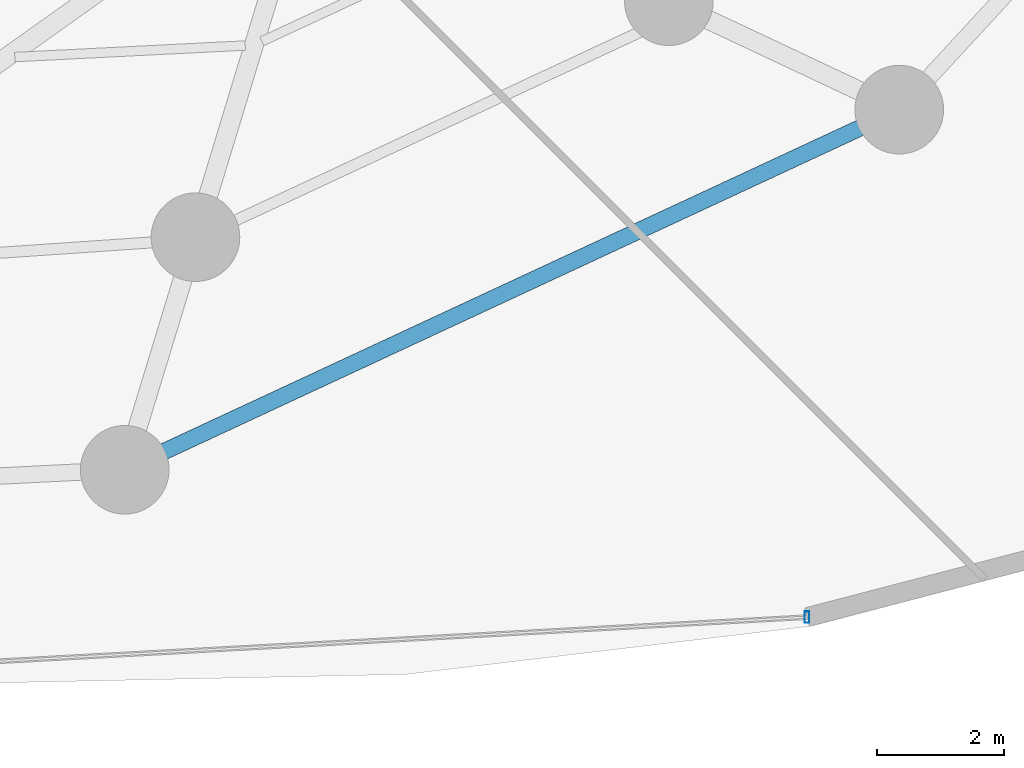
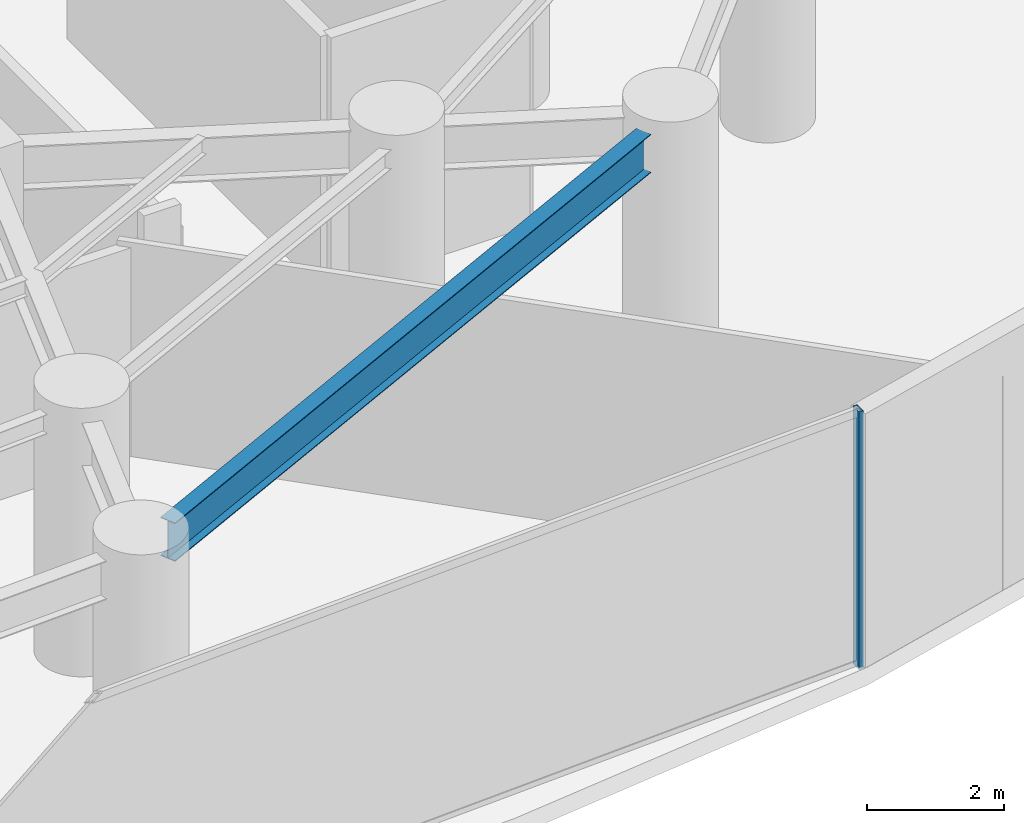
# One storey, part 11 of 32: 1 beam, 1 member, 1 element without a shape of its own.
"""IFC4 building model written with IfcOpenShell, lengths in metres."""

import ifcopenshell
import ifcopenshell.guid

model = None  # the IFC model being written
_history = None  # IfcOwnerHistory: only IFC2X3 demands one
_inside = {}  # id of a spatial element -> (the spatial element, [elements in it])
_under = {}  # id of a project, library or spatial element -> (it, [spatial elements below it])
_declared = {}  # id of a project -> (the project, [libraries it declares])
_typed = {}  # id of a type object -> (the type object, [elements of that type])
_made_of = {}  # id of a material, layer set ... -> (it, [elements and type objects made of it])


def new_model(schema):
    """Start an empty IFC model of exactly this schema.

    Asked for "IFC4X3", IfcOpenShell would pick the latest addendum, in which some entities
    have other attributes; the version numbers below select the first issue.
    IFC2X3 requires an IfcOwnerHistory on every rooted entity: one is made here for all.
    """
    global model, _history
    if schema == "IFC4X3":
        model = ifcopenshell.file(schema_version=(4, 3, 0, 0))
    else:
        model = ifcopenshell.file(schema=schema)
    _inside.clear()
    _under.clear()
    _declared.clear()
    _typed.clear()
    _made_of.clear()
    _history = None
    if model.schema == "IFC2X3":
        org = make("IfcOrganization", Name="unknown")
        user = make(
            "IfcPersonAndOrganization",
            ThePerson=make("IfcPerson", FamilyName="unknown"),
            TheOrganization=org,
        )
        app = make(
            "IfcApplication",
            ApplicationDeveloper=org,
            Version="unknown",
            ApplicationFullName="unknown",
            ApplicationIdentifier="unknown",
        )
        _history = make(
            "IfcOwnerHistory",
            OwningUser=user,
            OwningApplication=app,
            ChangeAction="ADDED",
            CreationDate=0,
        )
    return model


def make(cls, **values):
    """One entity of the class cls with the attributes given. An attribute that is None is left unset."""
    return model.create_entity(
        cls, **{name: value for name, value in values.items() if value is not None}
    )


def rooted(cls, **values):
    """An entity with a GlobalId (a new one), such as an element, a storey or a relation."""
    return make(cls, GlobalId=ifcopenshell.guid.new(), OwnerHistory=_history, **values)


def si_unit(unit_type, name, prefix=None):
    """IfcSIUnit, for example si_unit("LENGTHUNIT", "METRE", prefix="MILLI")."""
    return make("IfcSIUnit", UnitType=unit_type, Prefix=prefix, Name=name)


def assignment(units):
    """IfcUnitAssignment: the units of a project."""
    return None if units is None else make("IfcUnitAssignment", Units=units)


def point(xyz):
    """IfcCartesianPoint."""
    return None if xyz is None else make("IfcCartesianPoint", Coordinates=xyz)


def direction(xyz):
    """IfcDirection."""
    return None if xyz is None else make("IfcDirection", DirectionRatios=xyz)


def frame(location, z_axis=None, x_axis=None):
    """IfcAxis2Placement3D, a coordinate frame: its origin and axes. An axis left out is left unset."""
    return make(
        "IfcAxis2Placement3D",
        Location=point(location),
        Axis=direction(z_axis),
        RefDirection=direction(x_axis),
    )


def frame_2d(location, x_axis=None):
    """IfcAxis2Placement2D, a coordinate frame in the plane: its origin and x axis."""
    return make(
        "IfcAxis2Placement2D", Location=point(location), RefDirection=direction(x_axis)
    )


def origin():
    """The frame at (0, 0, 0) with its axes left unset."""
    return frame((0.0, 0.0, 0.0))


def origin_2d():
    """The frame at (0, 0) in the plane with its x axis left unset."""
    return frame_2d((0.0, 0.0))


def place(relative_to, where):
    """IfcLocalPlacement: puts the frame where relative to a parent placement (None: the world)."""
    return make(
        "IfcLocalPlacement", PlacementRelTo=relative_to, RelativePlacement=where
    )


def context(
    kind, dimensions, precision=None, world=None, true_north=None, identifier=None
):
    """IfcGeometricRepresentationContext, for example the 3D "Model" context."""
    return make(
        "IfcGeometricRepresentationContext",
        ContextIdentifier=identifier,
        ContextType=kind,
        CoordinateSpaceDimension=dimensions,
        Precision=precision,
        WorldCoordinateSystem=world,
        TrueNorth=true_north,
    )


def subcontext(parent, identifier, kind, view, scale=None):
    """IfcGeometricRepresentationSubContext, for example "Body" below "Model"."""
    return make(
        "IfcGeometricRepresentationSubContext",
        ContextIdentifier=identifier,
        ContextType=kind,
        ParentContext=parent,
        TargetScale=scale,
        TargetView=view,
    )


def project(units=None, contexts=None):
    """IfcProject with its units and contexts."""
    return rooted(
        "IfcProject",
        Name="project",
        RepresentationContexts=contexts,
        UnitsInContext=assignment(units),
    )


def spatial(cls, under=None, at=None, **own):
    """A site, building, storey or space (cls), placed at a placement, below another one or the project."""
    s = rooted(cls, ObjectPlacement=at, **own)
    if under is not None:
        _under.setdefault(under.id(), (under, []))[1].append(s)
    return s


def profile(cls, at=None, kind="AREA", **sizes):
    """A parametric profile (cls). Its sizes go by their IFC names, for example OverallWidth=200.0."""
    return make(cls, ProfileType=kind, Position=at, **sizes)


def hollow_rectangle(**sizes):
    """IfcRectangleHollowProfileDef."""
    return profile("IfcRectangleHollowProfileDef", **sizes)


def i_section(**sizes):
    """IfcIShapeProfileDef."""
    return profile("IfcIShapeProfileDef", **sizes)


def extrude(swept, where, along, depth):
    """IfcExtrudedAreaSolid: the profile swept, set in the frame where, extruded along a direction by depth."""
    return make(
        "IfcExtrudedAreaSolid",
        SweptArea=swept,
        Position=where,
        ExtrudedDirection=direction(along),
        Depth=depth,
    )


def shape(context_of_items, identifier, shape_type, items):
    """IfcShapeRepresentation: the items that make up one representation, for example the "Body"."""
    return make(
        "IfcShapeRepresentation",
        ContextOfItems=context_of_items,
        RepresentationIdentifier=identifier,
        RepresentationType=shape_type,
        Items=items,
    )


def material(Name=None, Category=None):
    """IfcMaterial."""
    return make("IfcMaterial", Name=Name, Category=Category)


def material_profile(
    of_material, cross_section, Name=None, Category=None, Priority=None
):
    """IfcMaterialProfile: a cross section and its material."""
    return make(
        "IfcMaterialProfile",
        Name=Name,
        Material=of_material,
        Profile=cross_section,
        Priority=Priority,
        Category=Category,
    )


def profile_set(profiles, Name=None, composite=None):
    """IfcMaterialProfileSet."""
    return make(
        "IfcMaterialProfileSet",
        Name=Name,
        MaterialProfiles=profiles,
        CompositeProfile=composite,
    )


def made_of(thing, what):
    """Note that an element or type object is made of a material, layer set ...; save() writes the relation."""
    if what is not None:
        _made_of.setdefault(what.id(), (what, []))[1].append(thing)
    return thing


def type_object(cls, material=None, **own):
    """A type object (cls), such as IfcWallType, which elements share."""
    return made_of(rooted(cls, **own), material)


def element(
    cls,
    number,
    at=None,
    inside=None,
    cuts=None,
    type_object=None,
    material=None,
    context=None,
    identifier="Body",
    shape_type=None,
    held_by="IfcProductDefinitionShape",
    body=None,
    shapes=None,
    **own,
):
    """One element of the class cls, such as IfcWall. Its Tag is "e" and its number.

    at: its placement. inside: the storey or other place that contains it. cuts: it is an
    opening in that element (IfcRelVoidsElement). A single representation is given by context,
    identifier, shape_type and body (its items); several are given by shapes. held_by: the class
    of the entity that holds the representations. save() writes the other relations.
    """
    e = rooted(cls, Tag="e%d" % number, ObjectPlacement=at, **own)
    if body is not None:
        shapes = [shape(context, identifier, shape_type, body)]
    if shapes is not None:
        e.Representation = make(held_by, Representations=shapes)
    if inside is not None:
        _inside.setdefault(inside.id(), (inside, []))[1].append(e)
    if cuts is not None:
        rooted(
            "IfcRelVoidsElement", RelatingBuildingElement=cuts, RelatedOpeningElement=e
        )
    if type_object is not None:
        _typed.setdefault(type_object.id(), (type_object, []))[1].append(e)
    return made_of(e, material)


def aggregate(whole, parts):
    """IfcRelAggregates: a whole, such as a stair, and the parts it consists of."""
    return rooted("IfcRelAggregates", RelatingObject=whole, RelatedObjects=parts)


def save(model, path):
    """Write the relations noted so far, then the file.

    IfcRelAggregates (storeys below a building ...), IfcRelContainedInSpatialStructure (elements
    in a storey), IfcRelDefinesByType, IfcRelAssociatesMaterial and IfcRelDeclares: one each for
    every whole, place, type object, material and project.
    """
    for whole, parts in _under.values():
        aggregate(whole, parts)
    for where, things in _inside.values():
        rooted(
            "IfcRelContainedInSpatialStructure",
            RelatedElements=things,
            RelatingStructure=where,
        )
    for kind, things in _typed.values():
        rooted("IfcRelDefinesByType", RelatedObjects=things, RelatingType=kind)
    for what, things in _made_of.values():
        rooted("IfcRelAssociatesMaterial", RelatedObjects=things, RelatingMaterial=what)
    for by, libraries in _declared.values():
        rooted("IfcRelDeclares", RelatingContext=by, RelatedDefinitions=libraries)
    model.write(path)


model = new_model("IFC4")

# Units and contexts
model_context = context("Model", 3, precision=1e-05, world=origin(), true_north=direction((0.0, 1.0)))
body_context = subcontext(model_context, "Body", "Model", "MODEL_VIEW")
ifc_project = project(units=[si_unit("LENGTHUNIT", "METRE"), si_unit("AREAUNIT", "SQUARE_METRE"), si_unit("VOLUMEUNIT", "CUBIC_METRE"), si_unit("PLANEANGLEUNIT", "RADIAN"), si_unit("MASSUNIT", "GRAM", prefix="KILO")], contexts=[model_context])

# Site, building, storey
site_placement = place(None, origin())
site = spatial("IfcSite", under=ifc_project, at=site_placement, CompositionType="ELEMENT")
building_placement = place(site_placement, origin())
building = spatial("IfcBuilding", under=site, at=building_placement, Name="Vorneva Point Tower", CompositionType="ELEMENT")
storey_placement = place(building_placement, frame((0.0, 0.0, 19.199951171875)))
storey = spatial("IfcBuildingStorey", under=building, at=storey_placement, Name="L04", CompositionType="ELEMENT", Elevation=19.199951171875)

# Beam
ifc_material_1 = material(Name="Steel S355", Category="steel")
ifc_material_profile_1 = material_profile(ifc_material_1, i_section(OverallWidth=0.260009765625, OverallDepth=0.69091796875, WebThickness=0.011962890625, FlangeThickness=0.015380859375, at=origin_2d()), Name="70B1")
ifc_profile_set_1 = profile_set([ifc_material_profile_1], Name="Steel S355")
beam_type = type_object("IfcBeamType", Name="BM-SPN-70B1", PredefinedType="SPANDREL", material=ifc_profile_set_1)
beam_placement = place(storey_placement, frame((46.32421875, 6.72412109375, 4.194580078125), z_axis=(0.906780557897, 0.421602917234, 0.0), x_axis=(-0.421602917234, 0.906780557897, 0.0)))
element("IfcBeam", 1, at=beam_placement, inside=storey, type_object=beam_type, Name="L04 Perimeter Spandrel Ring Beam 14", PredefinedType="SPANDREL", context=body_context, shape_type="SweptSolid", body=[
    extrude(i_section(OverallWidth=0.260009765625, OverallDepth=0.69091796875, WebThickness=0.011962890625, FlangeThickness=0.015380859375, at=origin_2d()), origin(), (0.0, 0.0, 1.0), 12.12353515625),
])

# Curtain wall, member
ifc_material_2 = material(Name="Pale anodised aluminium", Category="aluminium")
curtain_wall_type = type_object("IfcCurtainWallType", Name="CW-POD-SYS", PredefinedType="NOTDEFINED", material=ifc_material_2)
curtain_wall_placement = place(storey_placement, origin())
curtain_wall = element("IfcCurtainWall", 2, at=curtain_wall_placement, inside=storey, type_object=curtain_wall_type, Name="L04 Unitised Curtain Wall CW-L04-R04", PredefinedType="NOTDEFINED")
ifc_material_profile_2 = material_profile(ifc_material_2, hollow_rectangle(XDim=0.074951171875, YDim=0.179931640625, WallThickness=0.00390625, at=origin_2d()), Name="AL-MUL 180x75x4")
ifc_profile_set_2 = profile_set([ifc_material_profile_2], Name="Pale anodised aluminium")
member_type = type_object("IfcMemberType", Name="CW-MUL-180", PredefinedType="MULLION", material=ifc_profile_set_2)
member_placement = place(storey_placement, frame((56.482421875, 4.107177734375, -0.0400390625), z_axis=(0.0, 0.0, 1.0), x_axis=(1.0, 0.0, 0.0)))
member = element("IfcMember", 3, at=member_placement, type_object=member_type, Name="CW-L04-R04 Mullion 02", PredefinedType="MULLION", context=body_context, shape_type="SweptSolid", body=[
    extrude(hollow_rectangle(XDim=0.074951171875, YDim=0.179931640625, WallThickness=0.00390625, at=origin_2d()), origin(), (0.0, 0.0, 1.0), 4.610107421875),
])
aggregate(curtain_wall, [member])

save(model, "model.ifc")
